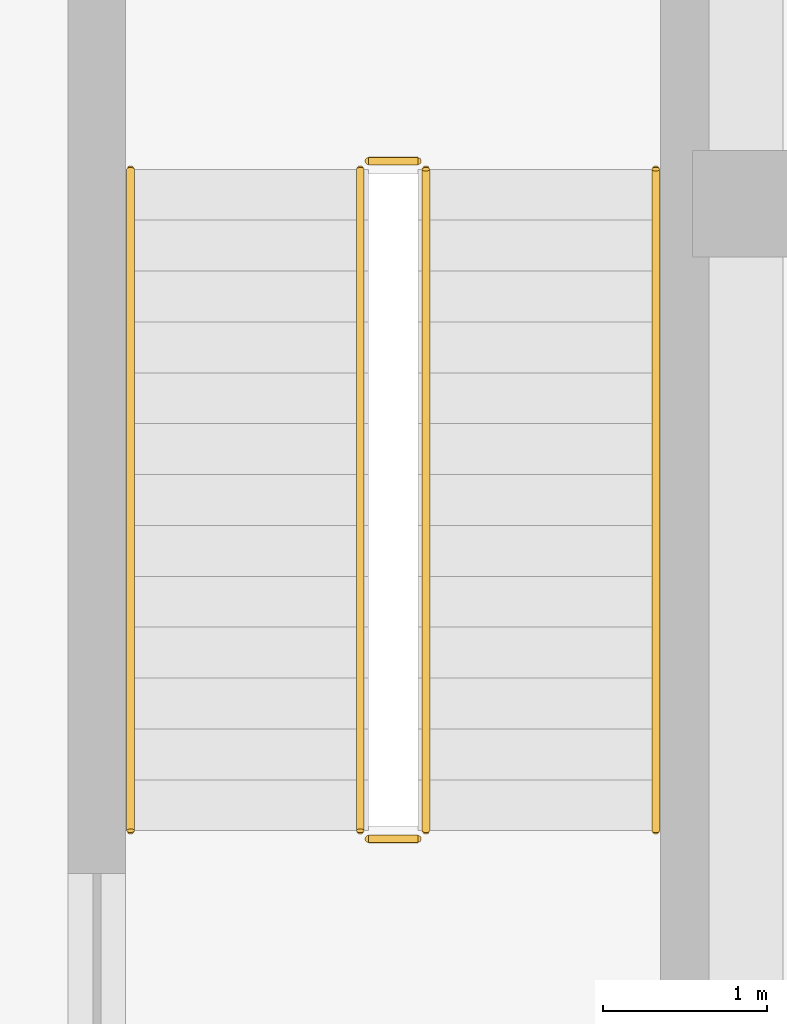
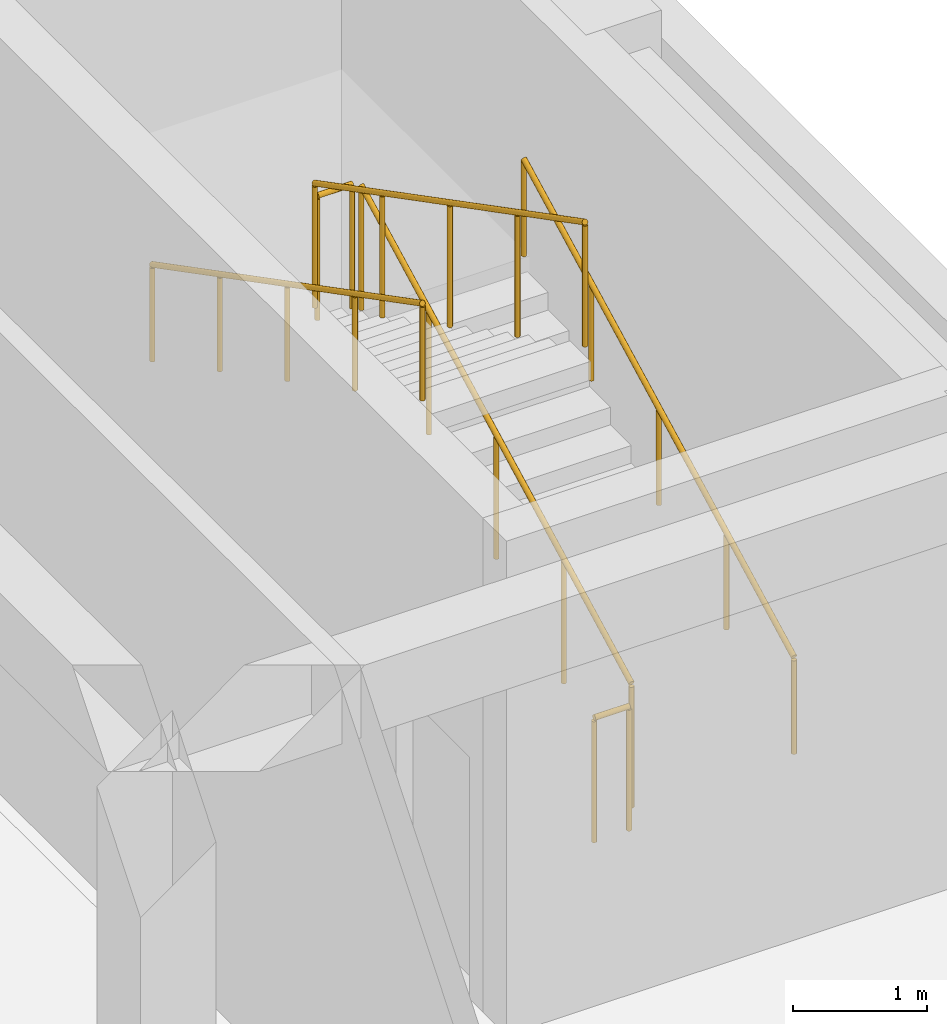
# One storey, part 28 of 28: 6 railings.
"""IFC4 building model written with IfcOpenShell, lengths in metres."""

from ifc_helpers import new_model, si_unit, direction, frame, origin, origin_2d, place, context, subcontext, project, spatial, circle, extrude, material, type_object, element, save


model = new_model("IFC4")

# Units and contexts
model_context = context("Model", 3, precision=1e-05, world=origin(), true_north=direction((0.0, 1.0)))
body_context = subcontext(model_context, "Body", "Model", "MODEL_VIEW")
ifc_project = project(units=[si_unit("LENGTHUNIT", "METRE"), si_unit("AREAUNIT", "SQUARE_METRE"), si_unit("VOLUMEUNIT", "CUBIC_METRE"), si_unit("PLANEANGLEUNIT", "RADIAN"), si_unit("MASSUNIT", "GRAM", prefix="KILO")], contexts=[model_context])

# Site, building, storey
site_placement = place(None, origin())
site = spatial("IfcSite", under=ifc_project, at=site_placement, CompositionType="ELEMENT")
building_placement = place(site_placement, origin())
building = spatial("IfcBuilding", under=site, at=building_placement, Name="Khoralis Quay Care Tower", CompositionType="ELEMENT")
storey_placement = place(building_placement, frame((0.0, 0.0, 9.0)))
storey = spatial("IfcBuildingStorey", under=building, at=storey_placement, Name="L02", CompositionType="ELEMENT", Elevation=9.0)

# Railings
ifc_material = material(Name="Brushed stainless steel", Category="steel")
railing_type_1 = type_object("IfcRailingType", Name="RL-GUARD-1150", PredefinedType="GUARDRAIL", material=ifc_material)
railing_1_placement = place(storey_placement, frame((105.35009765625, 32.179931640625, 0.16064453125)))
element("IfcRailing", 1, at=railing_1_placement, inside=storey, type_object=railing_type_1, Name="L02 ST-S2 stair guard 1", PredefinedType="GUARDRAIL", context=body_context, shape_type="SweptSolid", body=[
    extrude(circle(Radius=0.02392578125, at=origin_2d()), frame((0.0, 0.0, 1.1259765625), z_axis=(0.0, 0.887780577991, 0.46026692836), x_axis=(-1.0, 0.0, 0.0)), (0.0, 0.0, 1.0), 4.53955078125),
    extrude(circle(Radius=0.02099609375, at=origin_2d()), origin(), (0.0, 0.0, 1.0), 1.101806640625),
    extrude(circle(Radius=0.02099609375, at=origin_2d()), frame((0.0, 1.007568359375, 0.5224609375)), (0.0, 0.0, 1.0), 1.101806640625),
    extrude(circle(Radius=0.02099609375, at=origin_2d()), frame((0.0, 2.01513671875, 1.044677734375)), (0.0, 0.0, 1.0), 1.101806640625),
    extrude(circle(Radius=0.02099609375, at=origin_2d()), frame((0.0, 3.0224609375, 1.56689453125)), (0.0, 0.0, 1.0), 1.101806640625),
    extrude(circle(Radius=0.02099609375, at=origin_2d()), frame((0.0, 4.030029296875, 2.08935546875)), (0.0, 0.0, 1.0), 1.101806640625),
])
railing_2_placement = place(storey_placement, frame((105.300048828125, 36.260009765625, 2.25)))
element("IfcRailing", 2, at=railing_2_placement, inside=storey, type_object=railing_type_1, Name="L02 ST-S2 stair guard 2", PredefinedType="GUARDRAIL", context=body_context, shape_type="SweptSolid", body=[
    extrude(circle(Radius=0.02392578125, at=origin_2d()), frame((0.0, 0.0, 1.1259765625), z_axis=(-1.0, 0.0, 0.0), x_axis=(0.0, -1.0, 0.0)), (0.0, 0.0, 1.0), 0.300048828125),
    extrude(circle(Radius=0.02099609375, at=origin_2d()), origin(), (0.0, 0.0, 1.0), 1.101806640625),
    extrude(circle(Radius=0.02099609375, at=origin_2d()), frame((-0.300048828125, 0.0, 0.0)), (0.0, 0.0, 1.0), 1.101806640625),
])
railing_3_placement = place(storey_placement, frame((104.949951171875, 36.2099609375, 2.41064453125)))
element("IfcRailing", 3, at=railing_3_placement, inside=storey, type_object=railing_type_1, Name="L02 ST-S2 stair guard 3", PredefinedType="GUARDRAIL", context=body_context, shape_type="SweptSolid", body=[
    extrude(circle(Radius=0.02392578125, at=origin_2d()), frame((0.0, 0.0, 1.1259765625), z_axis=(0.0, -0.887780577991, 0.46026692836), x_axis=(1.0, 0.0, 0.0)), (0.0, 0.0, 1.0), 4.53955078125),
    extrude(circle(Radius=0.02099609375, at=origin_2d()), origin(), (0.0, 0.0, 1.0), 1.101806640625),
    extrude(circle(Radius=0.02099609375, at=origin_2d()), frame((0.0, -1.007568359375, 0.5224609375)), (0.0, 0.0, 1.0), 1.101806640625),
    extrude(circle(Radius=0.02099609375, at=origin_2d()), frame((0.0, -2.01513671875, 1.044677734375)), (0.0, 0.0, 1.0), 1.101806640625),
    extrude(circle(Radius=0.02099609375, at=origin_2d()), frame((0.0, -3.0224609375, 1.56689453125)), (0.0, 0.0, 1.0), 1.101806640625),
    extrude(circle(Radius=0.02099609375, at=origin_2d()), frame((0.0, -4.030029296875, 2.08935546875)), (0.0, 0.0, 1.0), 1.101806640625),
])
railing_4_placement = place(storey_placement, frame((105.300048828125, 32.1298828125, 0.0)))
element("IfcRailing", 4, at=railing_4_placement, inside=storey, type_object=railing_type_1, Name="L02 ST-S2 stair guard 4", PredefinedType="GUARDRAIL", context=body_context, shape_type="SweptSolid", body=[
    extrude(circle(Radius=0.02392578125, at=origin_2d()), frame((0.0, 0.0, 1.1259765625), z_axis=(-1.0, 0.0, 0.0), x_axis=(0.0, -1.0, 0.0)), (0.0, 0.0, 1.0), 0.300048828125),
    extrude(circle(Radius=0.02099609375, at=origin_2d()), origin(), (0.0, 0.0, 1.0), 1.101806640625),
    extrude(circle(Radius=0.02099609375, at=origin_2d()), frame((-0.300048828125, 0.0, 0.0)), (0.0, 0.0, 1.0), 1.101806640625),
])
railing_type_2 = type_object("IfcRailingType", Name="RL-HAND-900", PredefinedType="HANDRAIL", material=ifc_material)
railing_5_placement = place(storey_placement, frame((106.75, 32.179931640625, 0.16064453125)))
element("IfcRailing", 5, at=railing_5_placement, inside=storey, type_object=railing_type_2, Name="L02 ST-S2 stair handrail 1", PredefinedType="HANDRAIL", context=body_context, shape_type="SweptSolid", body=[
    extrude(circle(Radius=0.02392578125, at=origin_2d()), frame((0.0, 0.0, 0.8759765625), z_axis=(0.0, 0.887780577991, 0.46026692836), x_axis=(-1.0, 0.0, 0.0)), (0.0, 0.0, 1.0), 4.53955078125),
    extrude(circle(Radius=0.02099609375, at=origin_2d()), origin(), (0.0, 0.0, 1.0), 0.851806640625),
    extrude(circle(Radius=0.02099609375, at=origin_2d()), frame((0.0, 1.007568359375, 0.5224609375)), (0.0, 0.0, 1.0), 0.851806640625),
    extrude(circle(Radius=0.02099609375, at=origin_2d()), frame((0.0, 2.01513671875, 1.044677734375)), (0.0, 0.0, 1.0), 0.851806640625),
    extrude(circle(Radius=0.02099609375, at=origin_2d()), frame((0.0, 3.0224609375, 1.56689453125)), (0.0, 0.0, 1.0), 0.851806640625),
    extrude(circle(Radius=0.02099609375, at=origin_2d()), frame((0.0, 4.030029296875, 2.08935546875)), (0.0, 0.0, 1.0), 0.851806640625),
])
railing_6_placement = place(storey_placement, frame((103.550048828125, 36.2099609375, 2.41064453125)))
element("IfcRailing", 6, at=railing_6_placement, inside=storey, type_object=railing_type_2, Name="L02 ST-S2 stair handrail 2", PredefinedType="HANDRAIL", context=body_context, shape_type="SweptSolid", body=[
    extrude(circle(Radius=0.02392578125, at=origin_2d()), frame((0.0, 0.0, 0.8759765625), z_axis=(0.0, -0.887780577991, 0.46026692836), x_axis=(1.0, 0.0, 0.0)), (0.0, 0.0, 1.0), 4.53955078125),
    extrude(circle(Radius=0.02099609375, at=origin_2d()), origin(), (0.0, 0.0, 1.0), 0.851806640625),
    extrude(circle(Radius=0.02099609375, at=origin_2d()), frame((0.0, -1.007568359375, 0.5224609375)), (0.0, 0.0, 1.0), 0.851806640625),
    extrude(circle(Radius=0.02099609375, at=origin_2d()), frame((0.0, -2.01513671875, 1.044677734375)), (0.0, 0.0, 1.0), 0.851806640625),
    extrude(circle(Radius=0.02099609375, at=origin_2d()), frame((0.0, -3.0224609375, 1.56689453125)), (0.0, 0.0, 1.0), 0.851806640625),
    extrude(circle(Radius=0.02099609375, at=origin_2d()), frame((0.0, -4.030029296875, 2.08935546875)), (0.0, 0.0, 1.0), 0.851806640625),
])

save(model, "model.ifc")
